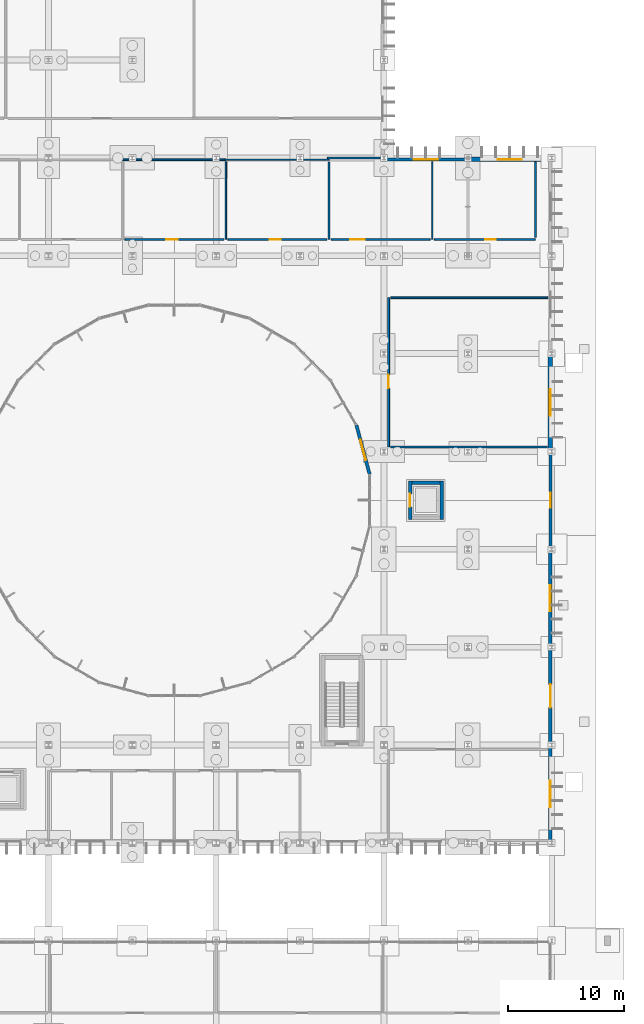
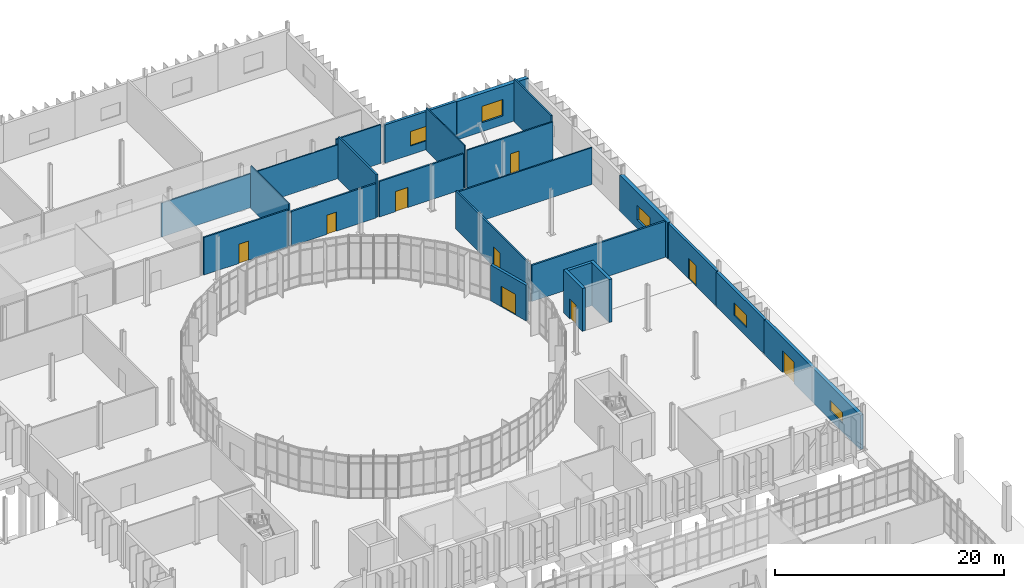
# One storey, part 99 of 118: 25 walls, 9 doors, 5 windows, 14 openings.
"""IFC4 building model written with IfcOpenShell, lengths in metres."""

from ifc_helpers import new_model, si_unit, direction, frame, frame_2d, origin, place, context, subcontext, project, spatial, rectangle, extrude, material, layer, layer_set, type_object, element, fill, save


model = new_model("IFC4")

# Units and contexts
model_context = context("Model", 3, precision=1e-05, world=origin(), true_north=direction((0.0, 1.0)))
body_context = subcontext(model_context, "Body", "Model", "MODEL_VIEW")
ifc_project = project(units=[si_unit("LENGTHUNIT", "METRE"), si_unit("AREAUNIT", "SQUARE_METRE"), si_unit("VOLUMEUNIT", "CUBIC_METRE"), si_unit("PLANEANGLEUNIT", "RADIAN"), si_unit("MASSUNIT", "GRAM", prefix="KILO")], contexts=[model_context])

# Site, building, storey
site_placement = place(None, origin())
site = spatial("IfcSite", under=ifc_project, at=site_placement, CompositionType="ELEMENT")
building_placement = place(site_placement, origin())
building = spatial("IfcBuilding", under=site, at=building_placement, Name="Qelthora Terrace Specialist Clinic", CompositionType="ELEMENT")
storey_placement = place(building_placement, origin())
storey = spatial("IfcBuildingStorey", under=building, at=storey_placement, Name="L00", CompositionType="ELEMENT", Elevation=0.0)

# Wall, opening, door
ifc_material_1 = material(Name="Concrete C40/50", Category="concrete")
ifc_layer_1 = layer(ifc_material_1, 0.300048828125)
ifc_layer_set_1 = layer_set([ifc_layer_1], Name="Concrete C40/50")
wall_type_1 = type_object("IfcWallType", Name="WAL-CORE-300-C40", PredefinedType="SHEAR", material=ifc_layer_set_1)
wall_1_placement = place(storey_placement, frame((146.25, 61.35009765625, 0.0), z_axis=(0.0, 0.0, 1.0), x_axis=(0.0, 1.0, 0.0)))
wall_1 = element("IfcWall", 1, at=wall_1_placement, inside=storey, type_object=wall_type_1, Name="Lift PL-02 L00 west shaft wall", PredefinedType="SHEAR", context=body_context, shape_type="SweptSolid", body=[
    extrude(rectangle(XDim=3.2998046875, YDim=0.300048828125, at=frame_2d((1.64990234375, 0.0))), origin(), (0.0, 0.0, 1.0), 4.580078125),
])
opening_1_placement = place(wall_1_placement, frame((1.10009765625, 0.0, 0.0)))
opening_1 = element("IfcOpeningElement", 2, at=opening_1_placement, cuts=wall_1, Name="Opening LD-PL-02-L00", PredefinedType="OPENING", context=body_context, shape_type="SweptSolid", body=[
    extrude(rectangle(XDim=1.10009765625, YDim=2.14990234375, at=frame_2d((0.550048828125, 1.074951171875))), frame((0.0, 0.159912109375, 0.0), z_axis=(0.0, -1.0, 0.0), x_axis=(1.0, 0.0, 0.0)), (0.0, 0.0, 1.0), 0.320068359375),
])
ifc_material_2 = material(Name="Steel S355", Category="steel")
door_type_1 = type_object("IfcDoorType", Name="DOR-LIFT-1100X2150", OperationType="NOTDEFINED", PredefinedType="DOOR", material=ifc_material_2)
door_1_placement = place(opening_1_placement, origin())
door_1 = element("IfcDoor", 3, at=door_1_placement, inside=storey, type_object=door_type_1, Name="Lift landing sliding door LD-PL-02-L00", OperationType="DOUBLE_DOOR_SLIDING", OverallHeight=2.14990234375, OverallWidth=1.10009765625, PredefinedType="DOOR", context=body_context, shape_type="SweptSolid", body=[
    extrude(rectangle(XDim=1.10009765625, YDim=2.14990234375, at=frame_2d((0.550048828125, 1.074951171875))), frame((0.0, 0.02490234375, 0.0), z_axis=(0.0, -1.0, 0.0), x_axis=(1.0, 0.0, 0.0)), (0.0, 0.0, 1.0), 0.050048828125),
])
fill(opening_1, door_1)

# Walls
wall_2_placement = place(storey_placement, frame((148.949951171875, 61.35009765625, 0.0), z_axis=(0.0, 0.0, 1.0), x_axis=(0.0, 1.0, 0.0)))
element("IfcWall", 4, at=wall_2_placement, inside=storey, type_object=wall_type_1, Name="Lift PL-02 L00 east shaft wall", PredefinedType="SHEAR", context=body_context, shape_type="SweptSolid", body=[
    extrude(rectangle(XDim=3.2998046875, YDim=0.300048828125, at=frame_2d((1.64990234375, 0.0))), origin(), (0.0, 0.0, 1.0), 4.580078125),
])
wall_3_placement = place(storey_placement, frame((146.39990234375, 64.5, 0.0), z_axis=(0.0, 0.0, 1.0), x_axis=(1.0, 0.0, 0.0)))
element("IfcWall", 5, at=wall_3_placement, inside=storey, type_object=wall_type_1, Name="Lift PL-02 L00 north shaft wall", PredefinedType="SHEAR", context=body_context, shape_type="SweptSolid", body=[
    extrude(rectangle(XDim=2.400146484375, YDim=0.300048828125, at=frame_2d((1.2001953125, 0.0))), origin(), (0.0, 0.0, 1.0), 4.580078125),
])

# Wall, opening, window
ifc_material_3 = material(Name="Precast concrete C40/50", Category="concrete")
ifc_layer_2 = layer(ifc_material_3, 0.260009765625)
ifc_layer_set_2 = layer_set([ifc_layer_2], Name="Precast concrete C40/50")
wall_type_2 = type_object("IfcWallType", Name="WAL-EXT-260-PC40", PredefinedType="SOLIDWALL", material=ifc_layer_set_2)
wall_4_placement = place(storey_placement, frame((144.0, 92.280029296875, 0.0), z_axis=(0.0, 0.0, 1.0), x_axis=(1.0, 0.0, 0.0)))
wall_4 = element("IfcWall", 6, at=wall_4_placement, inside=storey, type_object=wall_type_2, Name="L00 external precast wall 39", PredefinedType="SOLIDWALL", context=body_context, shape_type="SweptSolid", body=[
    extrude(rectangle(XDim=7.199951171875, YDim=0.260009765625, at=frame_2d((3.60009765625, 0.0))), origin(), (0.0, 0.0, 1.0), 4.08203125),
])
opening_2_placement = place(wall_4_placement, frame((2.550048828125, 0.0, 0.949951171875)))
opening_2 = element("IfcOpeningElement", 7, at=opening_2_placement, cuts=wall_4, Name="Opening WN-L00-031", PredefinedType="OPENING", context=body_context, shape_type="SweptSolid", body=[
    extrude(rectangle(XDim=2.10009765625, YDim=1.550048828125, at=frame_2d((1.050048828125, 0.77490234375))), frame((0.0, 0.139892578125, 0.0), z_axis=(0.0, -1.0, 0.0), x_axis=(1.0, 0.0, 0.0)), (0.0, 0.0, 1.0), 0.280029296875),
])
ifc_material_4 = material(Name="Low-E triple-silver insulating glass", Category="glass")
window_type_1 = type_object("IfcWindowType", Name="WIN-2100X1550", PartitioningType="DOUBLE_PANEL_VERTICAL", PredefinedType="WINDOW", material=ifc_material_4)
window_1_placement = place(opening_2_placement, origin())
window_1 = element("IfcWindow", 8, at=window_1_placement, inside=storey, type_object=window_type_1, Name="Clinical window WN-L00-031", OverallHeight=1.550048828125, OverallWidth=2.10009765625, PartitioningType="SINGLE_PANEL", PredefinedType="WINDOW", context=body_context, shape_type="SweptSolid", body=[
    extrude(rectangle(XDim=2.10009765625, YDim=1.550048828125, at=frame_2d((1.050048828125, 0.77490234375))), frame((0.0, 0.030029296875, 0.0), z_axis=(0.0, -1.0, 0.0), x_axis=(1.0, 0.0, 0.0)), (0.0, 0.0, 1.0), 0.06005859375),
])
fill(opening_2, window_1)

# Wall, opening, door
wall_5_placement = place(storey_placement, frame((158.280029296875, 58.800048828125, 0.0), z_axis=(0.0, 0.0, 1.0), x_axis=(0.0, 1.0, 0.0)))
wall_5 = element("IfcWall", 9, at=wall_5_placement, inside=storey, type_object=wall_type_2, Name="L00 external precast wall 44", PredefinedType="SOLIDWALL", context=body_context, shape_type="SweptSolid", body=[
    extrude(rectangle(XDim=8.39990234375, YDim=0.260009765625, at=frame_2d((4.199951171875, 0.0))), origin(), (0.0, 0.0, 1.0), 3.77197265625),
])
opening_3_placement = place(wall_5_placement, frame((3.550048828125, 0.0, 0.0)))
opening_3 = element("IfcOpeningElement", 10, at=opening_3_placement, cuts=wall_5, Name="Opening DE-ST06-EXIT", PredefinedType="OPENING", context=body_context, shape_type="SweptSolid", body=[
    extrude(rectangle(XDim=1.300048828125, YDim=2.199951171875, at=frame_2d((0.64990234375, 1.10009765625))), frame((0.0, 0.139892578125, 0.0), z_axis=(0.0, -1.0, 0.0), x_axis=(1.0, 0.0, 0.0)), (0.0, 0.0, 1.0), 0.280029296875),
])
door_type_2 = type_object("IfcDoorType", Name="DOR-EXT-1300X2200", OperationType="NOTDEFINED", PredefinedType="DOOR", material=ifc_material_2)
door_2_placement = place(opening_3_placement, frame((1.300048828125, 0.0, 0.0), z_axis=(0.0, 0.0, 1.0), x_axis=(-1.0, 0.0, 0.0)))
door_2 = element("IfcDoor", 11, at=door_2_placement, inside=storey, type_object=door_type_2, Name="Exterior entrance/exit door DE-ST06-EXIT", OperationType="SINGLE_SWING_LEFT", OverallHeight=2.199951171875, OverallWidth=1.300048828125, PredefinedType="DOOR", context=body_context, shape_type="SweptSolid", body=[
    extrude(rectangle(XDim=1.300048828125, YDim=2.199951171875, at=frame_2d((0.64990234375, 1.10009765625))), frame((0.0, 0.02490234375, 0.0), z_axis=(0.0, -1.0, 0.0), x_axis=(1.0, 0.0, 0.0)), (0.0, 0.0, 1.0), 0.050048828125),
])
fill(opening_3, door_2)

ifc_layer_3 = layer(ifc_material_3, 0.280029296875)
ifc_layer_set_3 = layer_set([ifc_layer_3], Name="Precast concrete C40/50")
wall_type_3 = type_object("IfcWallType", Name="WAL-EXT-280-PC40", PredefinedType="SOLIDWALL", material=ifc_layer_set_3)
wall_6_placement = place(storey_placement, frame((142.772216796875, 65.223876953125, 0.0), z_axis=(0.0, 0.0, 1.0), x_axis=(-0.258795445102, 0.965932149581, 0.0)))
wall_6 = element("IfcWall", 12, at=wall_6_placement, inside=storey, type_object=wall_type_3, Name="Sun court CE portal wall 1", PredefinedType="SOLIDWALL", context=body_context, shape_type="SweptSolid", body=[
    extrude(rectangle(XDim=4.3857421875, YDim=0.280029296875, at=frame_2d((2.19287109375, 0.0))), origin(), (0.0, 0.0, 1.0), 3.820068359375),
])
opening_4_placement = place(wall_6_placement, frame((1.292724609375, 0.0, 0.0)))
opening_4 = element("IfcOpeningElement", 13, at=opening_4_placement, cuts=wall_6, Name="Opening DE-CE-01", PredefinedType="OPENING", context=body_context, shape_type="SweptSolid", body=[
    extrude(rectangle(XDim=1.800048828125, YDim=2.199951171875, at=frame_2d((0.89990234375, 1.10009765625))), frame((0.0, 0.14990234375, 0.0), z_axis=(0.0, -1.0, 0.0), x_axis=(1.0, 0.0, 0.0)), (0.0, 0.0, 1.0), 0.300048828125),
])
door_type_3 = type_object("IfcDoorType", Name="DOR-EXT-1800X2200", OperationType="NOTDEFINED", PredefinedType="DOOR", material=ifc_material_2)
door_3_placement = place(opening_4_placement, origin())
door_3 = element("IfcDoor", 14, at=door_3_placement, inside=storey, type_object=door_type_3, Name="Sun court entrance door DE-CE-01", OperationType="DOUBLE_DOOR_SINGLE_SWING", OverallHeight=2.199951171875, OverallWidth=1.800048828125, PredefinedType="DOOR", context=body_context, shape_type="SweptSolid", body=[
    extrude(rectangle(XDim=1.800048828125, YDim=2.199951171875, at=frame_2d((0.89990234375, 1.10009765625))), frame((0.0, 0.02490234375, 0.0), z_axis=(0.0, -1.0, 0.0), x_axis=(1.0, 0.0, 0.0)), (0.0, 0.0, 1.0), 0.050048828125),
])
fill(opening_4, door_3)

# Wall, opening, window
wall_7_placement = place(storey_placement, frame((158.280029296875, 50.39990234375, 0.0), z_axis=(0.0, 0.0, 1.0), x_axis=(0.0, 1.0, 0.0)))
wall_7 = element("IfcWall", 15, at=wall_7_placement, inside=storey, type_object=wall_type_3, Name="L00 external precast wall 43", PredefinedType="SOLIDWALL", context=body_context, shape_type="SweptSolid", body=[
    extrude(rectangle(XDim=8.400146484375, YDim=0.280029296875, at=frame_2d((4.2001953125, 0.0))), origin(), (0.0, 0.0, 1.0), 3.69091796875),
])
opening_5_placement = place(wall_7_placement, frame((3.074951171875, 0.0, 0.949951171875)))
opening_5 = element("IfcOpeningElement", 16, at=opening_5_placement, cuts=wall_7, Name="Opening WN-L00-034", PredefinedType="OPENING", context=body_context, shape_type="SweptSolid", body=[
    extrude(rectangle(XDim=2.25, YDim=1.35009765625, at=frame_2d((1.125, 0.675048828125))), frame((0.0, 0.14990234375, 0.0), z_axis=(0.0, -1.0, 0.0), x_axis=(1.0, 0.0, 0.0)), (0.0, 0.0, 1.0), 0.300048828125),
])
window_type_2 = type_object("IfcWindowType", Name="WIN-2250X1350", PartitioningType="DOUBLE_PANEL_VERTICAL", PredefinedType="WINDOW", material=ifc_material_4)
window_2_placement = place(opening_5_placement, origin())
window_2 = element("IfcWindow", 17, at=window_2_placement, inside=storey, type_object=window_type_2, Name="Clinical window WN-L00-034", OverallHeight=1.35009765625, OverallWidth=2.25, PartitioningType="SINGLE_PANEL", PredefinedType="WINDOW", context=body_context, shape_type="SweptSolid", body=[
    extrude(rectangle(XDim=2.25, YDim=1.35009765625, at=frame_2d((1.125, 0.675048828125))), frame((0.0, 0.030029296875, 0.0), z_axis=(0.0, -1.0, 0.0), x_axis=(1.0, 0.0, 0.0)), (0.0, 0.0, 1.0), 0.06005859375),
])
fill(opening_5, window_2)

# Wall, opening, door
ifc_layer_4 = layer(ifc_material_3, 0.300048828125)
ifc_layer_set_4 = layer_set([ifc_layer_4], Name="Precast concrete C40/50")
wall_type_4 = type_object("IfcWallType", Name="WAL-EXT-300-PC40", PredefinedType="SOLIDWALL", material=ifc_layer_set_4)
wall_8_placement = place(storey_placement, frame((158.280029296875, 42.0, 0.0), z_axis=(0.0, 0.0, 1.0), x_axis=(0.0, 1.0, 0.0)))
wall_8 = element("IfcWall", 18, at=wall_8_placement, inside=storey, type_object=wall_type_4, Name="L00 external precast wall 42", PredefinedType="SOLIDWALL", context=body_context, shape_type="SweptSolid", body=[
    extrude(rectangle(XDim=8.39990234375, YDim=0.300048828125, at=frame_2d((4.199951171875, 0.0))), origin(), (0.0, 0.0, 1.0), 3.69091796875),
])
opening_6_placement = place(wall_8_placement, frame((3.199951171875, 0.0, 0.0)))
opening_6 = element("IfcOpeningElement", 19, at=opening_6_placement, cuts=wall_8, Name="Opening DE-SERV-01", PredefinedType="OPENING", context=body_context, shape_type="SweptSolid", body=[
    extrude(rectangle(XDim=2.0, YDim=2.300048828125, at=frame_2d((1.0, 1.14990234375))), frame((0.0, 0.159912109375, 0.0), z_axis=(0.0, -1.0, 0.0), x_axis=(1.0, 0.0, 0.0)), (0.0, 0.0, 1.0), 0.320068359375),
])
door_type_4 = type_object("IfcDoorType", Name="DOR-EXT-2000X2300", OperationType="NOTDEFINED", PredefinedType="DOOR", material=ifc_material_2)
door_4_placement = place(opening_6_placement, frame((2.0, 0.0, 0.0), z_axis=(0.0, 0.0, 1.0), x_axis=(-1.0, 0.0, 0.0)))
door_4 = element("IfcDoor", 20, at=door_4_placement, inside=storey, type_object=door_type_4, Name="Exterior entrance/exit door DE-SERV-01", OperationType="DOUBLE_DOOR_SINGLE_SWING", OverallHeight=2.300048828125, OverallWidth=2.0, PredefinedType="DOOR", context=body_context, shape_type="SweptSolid", body=[
    extrude(rectangle(XDim=2.0, YDim=2.300048828125, at=frame_2d((1.0, 1.14990234375))), frame((0.0, 0.02490234375, 0.0), z_axis=(0.0, -1.0, 0.0), x_axis=(1.0, 0.0, 0.0)), (0.0, 0.0, 1.0), 0.050048828125),
])
fill(opening_6, door_4)

# Wall, opening, window
ifc_layer_5 = layer(ifc_material_3, 0.320068359375)
ifc_layer_set_5 = layer_set([ifc_layer_5], Name="Precast concrete C40/50")
wall_type_5 = type_object("IfcWallType", Name="WAL-EXT-320-PC40", PredefinedType="SOLIDWALL", material=ifc_layer_set_5)
wall_9_placement = place(storey_placement, frame((158.280029296875, 33.60009765625, 0.0), z_axis=(0.0, 0.0, 1.0), x_axis=(0.0, 1.0, 0.0)))
wall_9 = element("IfcWall", 21, at=wall_9_placement, inside=storey, type_object=wall_type_5, Name="L00 external precast wall 41", PredefinedType="SOLIDWALL", context=body_context, shape_type="SweptSolid", body=[
    extrude(rectangle(XDim=8.39990234375, YDim=0.320068359375, at=frame_2d((4.199951171875, 0.0))), origin(), (0.0, 0.0, 1.0), 3.69091796875),
])
opening_7_placement = place(wall_9_placement, frame((3.074951171875, 0.0, 0.949951171875)))
opening_7 = element("IfcOpeningElement", 22, at=opening_7_placement, cuts=wall_9, Name="Opening WN-L00-033", PredefinedType="OPENING", context=body_context, shape_type="SweptSolid", body=[
    extrude(rectangle(XDim=2.25, YDim=1.14990234375, at=frame_2d((1.125, 0.574951171875))), frame((0.0, 0.169921875, 0.0), z_axis=(0.0, -1.0, 0.0), x_axis=(1.0, 0.0, 0.0)), (0.0, 0.0, 1.0), 0.340087890625),
])
window_type_3 = type_object("IfcWindowType", Name="WIN-2250X1150", PartitioningType="DOUBLE_PANEL_VERTICAL", PredefinedType="WINDOW", material=ifc_material_4)
window_3_placement = place(opening_7_placement, origin())
window_3 = element("IfcWindow", 23, at=window_3_placement, inside=storey, type_object=window_type_3, Name="Clinical window WN-L00-033", OverallHeight=1.14990234375, OverallWidth=2.25, PartitioningType="SINGLE_PANEL", PredefinedType="WINDOW", context=body_context, shape_type="SweptSolid", body=[
    extrude(rectangle(XDim=2.25, YDim=1.14990234375, at=frame_2d((1.125, 0.574951171875))), frame((0.0, 0.030029296875, 0.0), z_axis=(0.0, -1.0, 0.0), x_axis=(1.0, 0.0, 0.0)), (0.0, 0.0, 1.0), 0.06005859375),
])
fill(opening_7, window_3)

ifc_layer_6 = layer(ifc_material_3, 0.3798828125)
ifc_layer_set_6 = layer_set([ifc_layer_6], Name="Precast concrete C40/50")
wall_type_6 = type_object("IfcWallType", Name="WAL-EXT-380-PC40", PredefinedType="SOLIDWALL", material=ifc_layer_set_6)
wall_10_placement = place(storey_placement, frame((151.199951171875, 92.280029296875, 0.0), z_axis=(0.0, 0.0, 1.0), x_axis=(1.0, 0.0, 0.0)))
wall_10 = element("IfcWall", 24, at=wall_10_placement, inside=storey, type_object=wall_type_6, Name="L00 external precast wall 40", PredefinedType="SOLIDWALL", context=body_context, shape_type="SweptSolid", body=[
    extrude(rectangle(XDim=7.199951171875, YDim=0.3798828125, at=frame_2d((3.60009765625, 0.0))), origin(), (0.0, 0.0, 1.0), 4.08203125),
])
opening_8_placement = place(wall_10_placement, frame((2.550048828125, 0.0, 0.949951171875)))
opening_8 = element("IfcOpeningElement", 25, at=opening_8_placement, cuts=wall_10, Name="Opening WN-L00-032", PredefinedType="OPENING", context=body_context, shape_type="SweptSolid", body=[
    extrude(rectangle(XDim=2.10009765625, YDim=1.75, at=frame_2d((1.050048828125, 0.875))), frame((0.0, 0.199951171875, 0.0), z_axis=(0.0, -1.0, 0.0), x_axis=(1.0, 0.0, 0.0)), (0.0, 0.0, 1.0), 0.39990234375),
])
window_type_4 = type_object("IfcWindowType", Name="WIN-2100X1750", PartitioningType="DOUBLE_PANEL_VERTICAL", PredefinedType="WINDOW", material=ifc_material_4)
window_4_placement = place(opening_8_placement, origin())
window_4 = element("IfcWindow", 26, at=window_4_placement, inside=storey, type_object=window_type_4, Name="Clinical window WN-L00-032", OverallHeight=1.75, OverallWidth=2.10009765625, PartitioningType="SINGLE_PANEL", PredefinedType="WINDOW", context=body_context, shape_type="SweptSolid", body=[
    extrude(rectangle(XDim=2.10009765625, YDim=1.75, at=frame_2d((1.050048828125, 0.875))), frame((0.0, 0.030029296875, 0.0), z_axis=(0.0, -1.0, 0.0), x_axis=(1.0, 0.0, 0.0)), (0.0, 0.0, 1.0), 0.06005859375),
])
fill(opening_8, window_4)

wall_11_placement = place(storey_placement, frame((158.280029296875, 67.199951171875, 0.0), z_axis=(0.0, 0.0, 1.0), x_axis=(0.0, 1.0, 0.0)))
wall_11 = element("IfcWall", 27, at=wall_11_placement, inside=storey, type_object=wall_type_6, Name="L00 external precast wall 45", PredefinedType="SOLIDWALL", context=body_context, shape_type="SweptSolid", body=[
    extrude(rectangle(XDim=8.400146484375, YDim=0.3798828125, at=frame_2d((4.2001953125, 0.0))), origin(), (0.0, 0.0, 1.0), 3.84912109375),
])
opening_9_placement = place(wall_11_placement, frame((3.074951171875, 0.0, 0.949951171875)))
opening_9 = element("IfcOpeningElement", 28, at=opening_9_placement, cuts=wall_11, Name="Opening WN-L00-035", PredefinedType="OPENING", context=body_context, shape_type="SweptSolid", body=[
    extrude(rectangle(XDim=2.25, YDim=1.550048828125, at=frame_2d((1.125, 0.77490234375))), frame((0.0, 0.199951171875, 0.0), z_axis=(0.0, -1.0, 0.0), x_axis=(1.0, 0.0, 0.0)), (0.0, 0.0, 1.0), 0.39990234375),
])
window_type_5 = type_object("IfcWindowType", Name="WIN-2250X1550", PartitioningType="DOUBLE_PANEL_VERTICAL", PredefinedType="WINDOW", material=ifc_material_4)
window_5_placement = place(opening_9_placement, origin())
window_5 = element("IfcWindow", 29, at=window_5_placement, inside=storey, type_object=window_type_5, Name="Clinical window WN-L00-035", OverallHeight=1.550048828125, OverallWidth=2.25, PartitioningType="SINGLE_PANEL", PredefinedType="WINDOW", context=body_context, shape_type="SweptSolid", body=[
    extrude(rectangle(XDim=2.25, YDim=1.550048828125, at=frame_2d((1.125, 0.77490234375))), frame((0.0, 0.030029296875, 0.0), z_axis=(0.0, -1.0, 0.0), x_axis=(1.0, 0.0, 0.0)), (0.0, 0.0, 1.0), 0.06005859375),
])
fill(opening_9, window_5)

# Walls
ifc_material_5 = material(Name="Gypsum acoustic wallboard", Category="gypsum")
ifc_layer_7 = layer(ifc_material_5, 0.139892578125)
ifc_layer_set_7 = layer_set([ifc_layer_7], Name="Gypsum acoustic wallboard")
wall_type_7 = type_object("IfcWallType", Name="WAL-INT-ACU-140", PredefinedType="PARTITIONING", material=ifc_layer_set_7)
wall_12_placement = place(storey_placement, frame((121.436279296875, 92.25, 0.0), z_axis=(0.0, 0.0, 1.0), x_axis=(1.0, 0.0, 0.0)))
element("IfcWall", 30, at=wall_12_placement, inside=storey, type_object=wall_type_7, Name="Interior clinical partition IWAL-L00-0104", PredefinedType="PARTITIONING", context=body_context, shape_type="SweptSolid", body=[
    extrude(rectangle(XDim=8.992431640625, YDim=0.139892578125, at=frame_2d((4.49609375, 0.0))), origin(), (0.0, 0.0, 1.0), 3.617919921875),
])
wall_13_placement = place(storey_placement, frame((139.150634765625, 92.39990234375, 0.0), z_axis=(0.0, 0.0, 1.0), x_axis=(1.0, 0.0, 0.0)))
element("IfcWall", 31, at=wall_13_placement, inside=storey, type_object=wall_type_7, Name="Interior clinical partition IWAL-L00-0112", PredefinedType="PARTITIONING", context=body_context, shape_type="SweptSolid", body=[
    extrude(rectangle(XDim=4.50927734375, YDim=0.139892578125, at=frame_2d((2.254638671875, 0.0))), origin(), (0.0, 0.0, 1.0), 4.132080078125),
])
wall_14_placement = place(storey_placement, frame((144.580078125, 80.39990234375, 0.0), z_axis=(0.0, 0.0, 1.0), x_axis=(1.0, 0.0, 0.0)))
element("IfcWall", 32, at=wall_14_placement, inside=storey, type_object=wall_type_7, Name="Interior clinical partition IWAL-L00-0122", PredefinedType="PARTITIONING", context=body_context, shape_type="SweptSolid", body=[
    extrude(rectangle(XDim=13.47998046875, YDim=0.139892578125, at=frame_2d((6.739990234375, 0.0))), origin(), (0.0, 0.0, 1.0), 3.927978515625),
])
ifc_material_6 = material(Name="Gypsum fire-rated wallboard", Category="gypsum")
ifc_layer_8 = layer(ifc_material_6, 0.179931640625)
ifc_layer_set_8 = layer_set([ifc_layer_8], Name="Gypsum fire-rated wallboard")
wall_type_8 = type_object("IfcWallType", Name="WAL-INT-CLN-180", PredefinedType="PARTITIONING", material=ifc_layer_set_8)
wall_15_placement = place(storey_placement, frame((139.28564453125, 92.070068359375, 0.0), z_axis=(0.0, 0.0, 1.0), x_axis=(0.0, -1.0, 0.0)))
element("IfcWall", 33, at=wall_15_placement, inside=storey, type_object=wall_type_8, Name="Interior clinical partition IWAL-L00-0108", PredefinedType="PARTITIONING", context=body_context, shape_type="SweptSolid", body=[
    extrude(rectangle(XDim=6.670166015625, YDim=0.179931640625, at=frame_2d((3.3349609375, 0.0))), origin(), (0.0, 0.0, 1.0), 4.544921875),
])
wall_16_placement = place(storey_placement, frame((158.06005859375, 67.60009765625, 0.0), z_axis=(0.0, 0.0, 1.0), x_axis=(-1.0, 0.0, 0.0)))
element("IfcWall", 34, at=wall_16_placement, inside=storey, type_object=wall_type_8, Name="Interior clinical partition IWAL-L00-0123", PredefinedType="PARTITIONING", context=body_context, shape_type="SweptSolid", body=[
    extrude(rectangle(XDim=13.47998046875, YDim=0.179931640625, at=frame_2d((6.739990234375, 0.0))), origin(), (0.0, 0.0, 1.0), 3.85205078125),
])

# Wall, opening, door
ifc_layer_9 = layer(ifc_material_6, 0.159912109375)
ifc_layer_set_9 = layer_set([ifc_layer_9], Name="Gypsum fire-rated wallboard")
wall_type_9 = type_object("IfcWallType", Name="WAL-INT-COR-160", PredefinedType="PARTITIONING", material=ifc_layer_set_9)
wall_17_placement = place(storey_placement, frame((130.24853515625, 85.39990234375, 0.0), z_axis=(0.0, 0.0, 1.0), x_axis=(-1.0, 0.0, 0.0)))
wall_17 = element("IfcWall", 35, at=wall_17_placement, inside=storey, type_object=wall_type_9, Name="Interior clinical partition IWAL-L00-0106", PredefinedType="PARTITIONING", context=body_context, shape_type="SweptSolid", body=[
    extrude(rectangle(XDim=8.4970703125, YDim=0.159912109375, at=frame_2d((4.24853515625, 0.0))), origin(), (0.0, 0.0, 1.0), 4.0009765625),
])
opening_10_placement = place(wall_17_placement, frame((3.95849609375, 0.0, 0.0)))
opening_10 = element("IfcOpeningElement", 36, at=opening_10_placement, cuts=wall_17, Name="Opening DI-L00-0041", PredefinedType="OPENING", context=body_context, shape_type="SweptSolid", body=[
    extrude(rectangle(XDim=0.97998046875, YDim=2.050048828125, at=frame_2d((0.489990234375, 1.02490234375))), frame((0.0, 0.08984375, 0.0), z_axis=(0.0, -1.0, 0.0), x_axis=(1.0, 0.0, 0.0)), (0.0, 0.0, 1.0), 0.179931640625),
])
ifc_material_7 = material(Name="Glulam timber GL28h", Category="wood")
door_type_5 = type_object("IfcDoorType", Name="DOR-CON-980X2050", OperationType="NOTDEFINED", PredefinedType="DOOR", material=ifc_material_7)
door_5_placement = place(opening_10_placement, frame((0.97998046875, 0.0, 0.0), z_axis=(0.0, 0.0, 1.0), x_axis=(-1.0, 0.0, 0.0)))
door_5 = element("IfcDoor", 37, at=door_5_placement, inside=storey, type_object=door_type_5, Name="Interior clinical door DI-L00-0041", OperationType="SINGLE_SWING_RIGHT", OverallHeight=2.050048828125, OverallWidth=0.97998046875, PredefinedType="DOOR", context=body_context, shape_type="SweptSolid", body=[
    extrude(rectangle(XDim=0.97998046875, YDim=2.050048828125, at=frame_2d((0.489990234375, 1.02490234375))), frame((0.0, 0.02490234375, 0.0), z_axis=(0.0, -1.0, 0.0), x_axis=(1.0, 0.0, 0.0)), (0.0, 0.0, 1.0), 0.050048828125),
])
fill(opening_10, door_5)

wall_18_placement = place(storey_placement, frame((139.105712890625, 85.39990234375, 0.0), z_axis=(0.0, 0.0, 1.0), x_axis=(-1.0, 0.0, 0.0)))
wall_18 = element("IfcWall", 38, at=wall_18_placement, inside=storey, type_object=wall_type_9, Name="Interior clinical partition IWAL-L00-0109", PredefinedType="PARTITIONING", context=body_context, shape_type="SweptSolid", body=[
    extrude(rectangle(XDim=8.4970703125, YDim=0.159912109375, at=frame_2d((4.24853515625, 0.0))), origin(), (0.0, 0.0, 1.0), 3.694091796875),
])
opening_11_placement = place(wall_18_placement, frame((3.978515625, 0.0, 0.0)))
opening_11 = element("IfcOpeningElement", 39, at=opening_11_placement, cuts=wall_18, Name="Opening DI-L00-0042", PredefinedType="OPENING", context=body_context, shape_type="SweptSolid", body=[
    extrude(rectangle(XDim=0.93994140625, YDim=2.050048828125, at=frame_2d((0.469970703125, 1.02490234375))), frame((0.0, 0.08984375, 0.0), z_axis=(0.0, -1.0, 0.0), x_axis=(1.0, 0.0, 0.0)), (0.0, 0.0, 1.0), 0.179931640625),
])
door_type_6 = type_object("IfcDoorType", Name="DOR-CON-940X2050", OperationType="NOTDEFINED", PredefinedType="DOOR", material=ifc_material_7)
door_6_placement = place(opening_11_placement, frame((0.93994140625, 0.0, 0.0), z_axis=(0.0, 0.0, 1.0), x_axis=(-1.0, 0.0, 0.0)))
door_6 = element("IfcDoor", 40, at=door_6_placement, inside=storey, type_object=door_type_6, Name="Interior clinical door DI-L00-0042", OperationType="SINGLE_SWING_LEFT", OverallHeight=2.050048828125, OverallWidth=0.93994140625, PredefinedType="DOOR", context=body_context, shape_type="SweptSolid", body=[
    extrude(rectangle(XDim=0.93994140625, YDim=2.050048828125, at=frame_2d((0.469970703125, 1.02490234375))), frame((0.0, 0.02490234375, 0.0), z_axis=(0.0, -1.0, 0.0), x_axis=(1.0, 0.0, 0.0)), (0.0, 0.0, 1.0), 0.050048828125),
])
fill(opening_11, door_6)

wall_19_placement = place(storey_placement, frame((147.962890625, 85.39990234375, 0.0), z_axis=(0.0, 0.0, 1.0), x_axis=(-1.0, 0.0, 0.0)))
wall_19 = element("IfcWall", 41, at=wall_19_placement, inside=storey, type_object=wall_type_9, Name="Interior clinical partition IWAL-L00-0111", PredefinedType="PARTITIONING", context=body_context, shape_type="SweptSolid", body=[
    extrude(rectangle(XDim=8.4970703125, YDim=0.159912109375, at=frame_2d((4.24853515625, 0.0))), origin(), (0.0, 0.0, 1.0), 3.77490234375),
])
opening_12_placement = place(wall_19_placement, frame((5.62353515625, 0.0, 0.0)))
opening_12 = element("IfcOpeningElement", 42, at=opening_12_placement, cuts=wall_19, Name="Opening DI-L00-0043", PredefinedType="OPENING", context=body_context, shape_type="SweptSolid", body=[
    extrude(rectangle(XDim=1.25, YDim=2.14990234375, at=frame_2d((0.625, 1.074951171875))), frame((0.0, 0.08984375, 0.0), z_axis=(0.0, -1.0, 0.0), x_axis=(1.0, 0.0, 0.0)), (0.0, 0.0, 1.0), 0.179931640625),
])
door_type_7 = type_object("IfcDoorType", Name="DOR-INF-1250X2150", OperationType="NOTDEFINED", PredefinedType="DOOR", material=ifc_material_7)
door_7_placement = place(opening_12_placement, frame((1.25, 0.0, 0.0), z_axis=(0.0, 0.0, 1.0), x_axis=(-1.0, 0.0, 0.0)))
door_7 = element("IfcDoor", 43, at=door_7_placement, inside=storey, type_object=door_type_7, Name="Interior clinical door DI-L00-0043", OperationType="SINGLE_SWING_RIGHT", OverallHeight=2.14990234375, OverallWidth=1.25, PredefinedType="DOOR", context=body_context, shape_type="SweptSolid", body=[
    extrude(rectangle(XDim=1.25, YDim=2.14990234375, at=frame_2d((0.625, 1.074951171875))), frame((0.0, 0.02490234375, 0.0), z_axis=(0.0, -1.0, 0.0), x_axis=(1.0, 0.0, 0.0)), (0.0, 0.0, 1.0), 0.050048828125),
])
fill(opening_12, door_7)

wall_20_placement = place(storey_placement, frame((144.39990234375, 67.60009765625, 0.0), z_axis=(0.0, 0.0, 1.0), x_axis=(0.0, 1.0, 0.0)))
wall_20 = element("IfcWall", 44, at=wall_20_placement, inside=storey, type_object=wall_type_9, Name="Interior clinical partition IWAL-L00-0121", PredefinedType="PARTITIONING", context=body_context, shape_type="SweptSolid", body=[
    extrude(rectangle(XDim=12.7998046875, YDim=0.159912109375, at=frame_2d((6.39990234375, 0.0))), origin(), (0.0, 0.0, 1.0), 4.0791015625),
])
opening_13_placement = place(wall_20_placement, frame((5.02490234375, 0.0, 0.0)))
opening_13 = element("IfcOpeningElement", 45, at=opening_13_placement, cuts=wall_20, Name="Opening DI-L00-0047", PredefinedType="OPENING", context=body_context, shape_type="SweptSolid", body=[
    extrude(rectangle(XDim=1.14990234375, YDim=2.14990234375, at=frame_2d((0.574951171875, 1.074951171875))), frame((0.0, 0.08984375, 0.0), z_axis=(0.0, -1.0, 0.0), x_axis=(1.0, 0.0, 0.0)), (0.0, 0.0, 1.0), 0.179931640625),
])
ifc_material_8 = material(Name="Aluminium anodized bronze", Category="aluminium")
door_type_8 = type_object("IfcDoorType", Name="DOR-CLN-1150X2150", OperationType="NOTDEFINED", PredefinedType="DOOR", material=ifc_material_8)
door_8_placement = place(opening_13_placement, frame((1.14990234375, 0.0, 0.0), z_axis=(0.0, 0.0, 1.0), x_axis=(-1.0, 0.0, 0.0)))
door_8 = element("IfcDoor", 46, at=door_8_placement, inside=storey, type_object=door_type_8, Name="Interior clinical door DI-L00-0047", OperationType="SINGLE_SWING_RIGHT", OverallHeight=2.14990234375, OverallWidth=1.14990234375, PredefinedType="DOOR", context=body_context, shape_type="SweptSolid", body=[
    extrude(rectangle(XDim=1.14990234375, YDim=2.14990234375, at=frame_2d((0.574951171875, 1.074951171875))), frame((0.0, 0.02490234375, 0.0), z_axis=(0.0, -1.0, 0.0), x_axis=(1.0, 0.0, 0.0)), (0.0, 0.0, 1.0), 0.050048828125),
])
fill(opening_13, door_8)

# Walls
ifc_layer_10 = layer(ifc_material_4, 0.110107421875)
ifc_layer_set_10 = layer_set([ifc_layer_10], Name="Low-E triple-silver insulating glass")
wall_type_10 = type_object("IfcWallType", Name="WAL-INT-GLA-110", PredefinedType="MOVABLE", material=ifc_layer_set_10)
wall_21_placement = place(storey_placement, frame((148.142822265625, 92.06005859375, 0.0), z_axis=(0.0, 0.0, 1.0), x_axis=(0.0, -1.0, 0.0)))
element("IfcWall", 47, at=wall_21_placement, inside=storey, type_object=wall_type_10, Name="Interior clinical partition IWAL-L00-0110", PredefinedType="MOVABLE", context=body_context, shape_type="SweptSolid", body=[
    extrude(rectangle(XDim=6.66015625, YDim=0.110107421875, at=frame_2d((3.330078125, 0.0))), origin(), (0.0, 0.0, 1.0), 4.544921875),
])
ifc_layer_11 = layer(ifc_material_5, 0.1201171875)
ifc_layer_set_11 = layer_set([ifc_layer_11], Name="Gypsum acoustic wallboard")
wall_type_11 = type_object("IfcWallType", Name="WAL-INT-STD-120", PredefinedType="PARTITIONING", material=ifc_layer_set_11)
wall_22_placement = place(storey_placement, frame((130.4287109375, 92.070068359375, 0.0), z_axis=(0.0, 0.0, 1.0), x_axis=(0.0, -1.0, 0.0)))
element("IfcWall", 48, at=wall_22_placement, inside=storey, type_object=wall_type_11, Name="Interior clinical partition IWAL-L00-0105", PredefinedType="PARTITIONING", context=body_context, shape_type="SweptSolid", body=[
    extrude(rectangle(XDim=6.670166015625, YDim=0.1201171875, at=frame_2d((3.3349609375, 0.0))), origin(), (0.0, 0.0, 1.0), 4.544921875),
])
wall_23_placement = place(storey_placement, frame((130.293701171875, 92.25, 0.0), z_axis=(0.0, 0.0, 1.0), x_axis=(1.0, 0.0, 0.0)))
element("IfcWall", 49, at=wall_23_placement, inside=storey, type_object=wall_type_11, Name="Interior clinical partition IWAL-L00-0107", PredefinedType="PARTITIONING", context=body_context, shape_type="SweptSolid", body=[
    extrude(rectangle(XDim=8.991943359375, YDim=0.1201171875, at=frame_2d((4.49609375, 0.0))), origin(), (0.0, 0.0, 1.0), 3.617919921875),
])

# Wall, opening, door
ifc_material_9 = material(Name="Gypsum moisture-resistant", Category="gypsum")
ifc_layer_12 = layer(ifc_material_9, 0.14990234375)
ifc_layer_set_12 = layer_set([ifc_layer_12], Name="Gypsum moisture-resistant")
wall_type_12 = type_object("IfcWallType", Name="WAL-INT-WET-150", PredefinedType="PLUMBINGWALL", material=ifc_layer_set_12)
wall_24_placement = place(storey_placement, frame((157.0, 85.39990234375, 0.0), z_axis=(0.0, 0.0, 1.0), x_axis=(-1.0, 0.0, 0.0)))
wall_24 = element("IfcWall", 50, at=wall_24_placement, inside=storey, type_object=wall_type_12, Name="Interior clinical partition IWAL-L00-0113", PredefinedType="PLUMBINGWALL", context=body_context, shape_type="SweptSolid", body=[
    extrude(rectangle(XDim=8.677001953125, YDim=0.14990234375, at=frame_2d((4.33837890625, 0.0))), origin(), (0.0, 0.0, 1.0), 4.0009765625),
])
opening_14_placement = place(wall_24_placement, frame((3.418701171875, 0.0, 0.0)))
opening_14 = element("IfcOpeningElement", 51, at=opening_14_placement, cuts=wall_24, Name="Opening DI-L00-0044", PredefinedType="OPENING", context=body_context, shape_type="SweptSolid", body=[
    extrude(rectangle(XDim=0.89990234375, YDim=2.10009765625, at=frame_2d((0.449951171875, 1.050048828125))), frame((0.0, 0.0849609375, 0.0), z_axis=(0.0, -1.0, 0.0), x_axis=(1.0, 0.0, 0.0)), (0.0, 0.0, 1.0), 0.169921875),
])
door_type_9 = type_object("IfcDoorType", Name="DOR-WC-900X2100", OperationType="NOTDEFINED", PredefinedType="DOOR", material=ifc_material_7)
door_9_placement = place(opening_14_placement, frame((0.89990234375, 0.0, 0.0), z_axis=(0.0, 0.0, 1.0), x_axis=(-1.0, 0.0, 0.0)))
door_9 = element("IfcDoor", 52, at=door_9_placement, inside=storey, type_object=door_type_9, Name="Interior clinical door DI-L00-0044", OperationType="SINGLE_SWING_LEFT", OverallHeight=2.10009765625, OverallWidth=0.89990234375, PredefinedType="DOOR", context=body_context, shape_type="SweptSolid", body=[
    extrude(rectangle(XDim=0.89990234375, YDim=2.10009765625, at=frame_2d((0.449951171875, 1.050048828125))), frame((0.0, 0.02490234375, 0.0), z_axis=(0.0, -1.0, 0.0), x_axis=(1.0, 0.0, 0.0)), (0.0, 0.0, 1.0), 0.050048828125),
])
fill(opening_14, door_9)

# Wall
wall_25_placement = place(storey_placement, frame((157.0, 92.06005859375, 0.0), z_axis=(0.0, 0.0, 1.0), x_axis=(0.0, -1.0, 0.0)))
element("IfcWall", 53, at=wall_25_placement, inside=storey, type_object=wall_type_12, Name="Interior clinical partition IWAL-L00-0114", PredefinedType="PLUMBINGWALL", context=body_context, shape_type="SweptSolid", body=[
    extrude(rectangle(XDim=6.47998046875, YDim=0.14990234375, at=frame_2d((3.239990234375, 0.0))), origin(), (0.0, 0.0, 1.0), 4.544921875),
])

save(model, "model.ifc")
